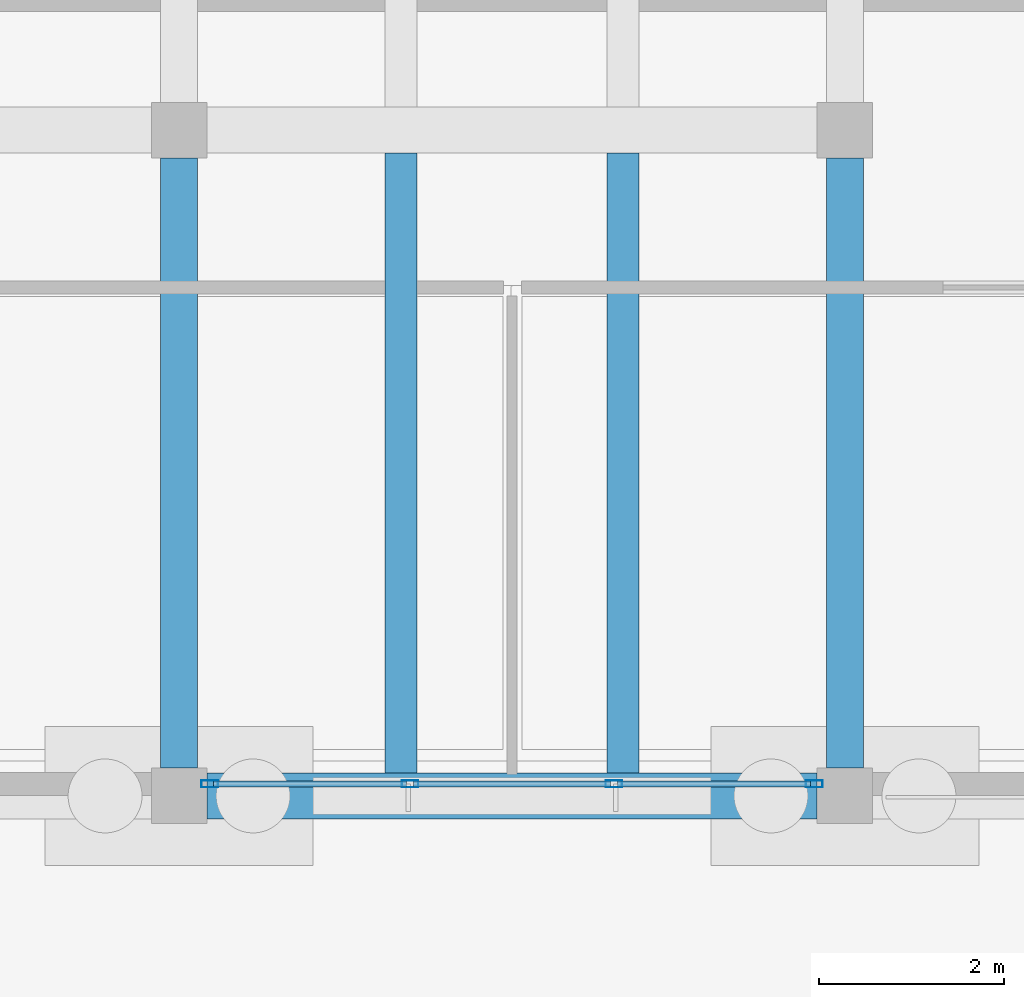
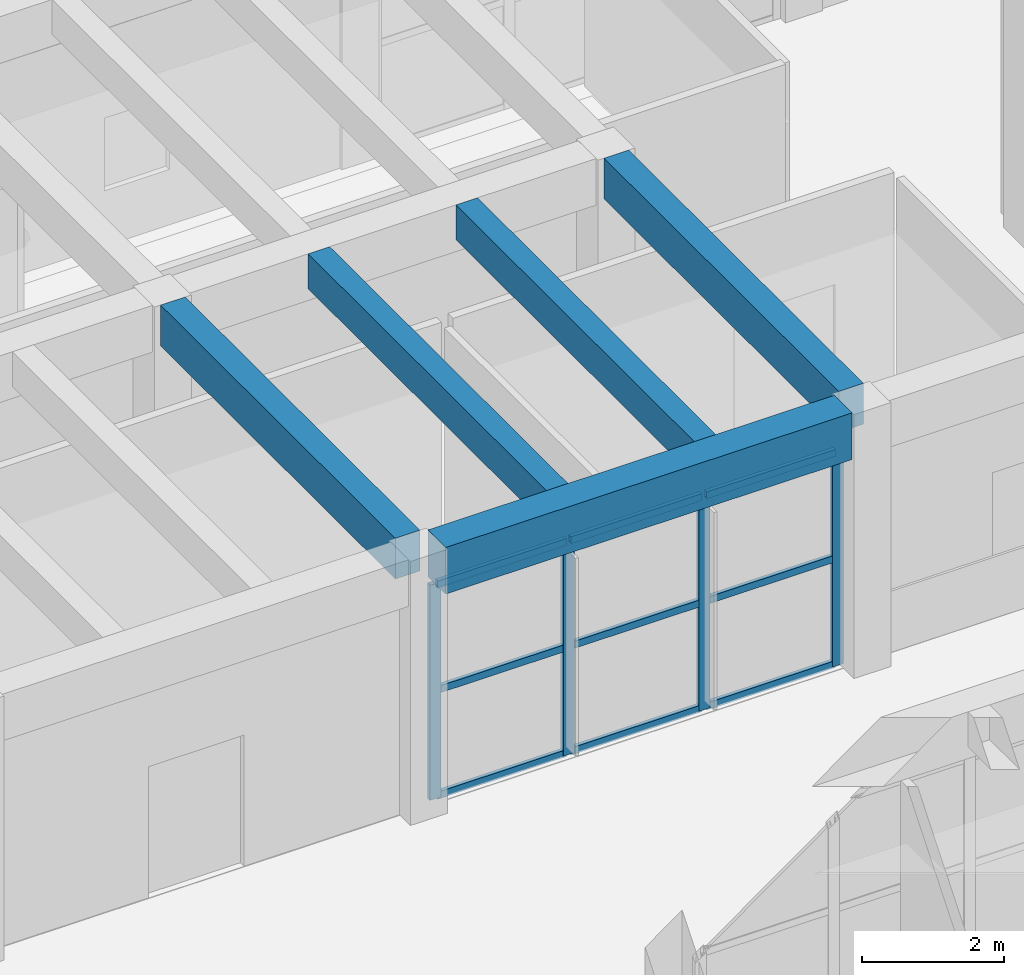
# One storey, part 92 of 155: 13 members, 5 beams, 1 element without a shape of its own.
"""IFC4 building model written with IfcOpenShell, lengths in metres."""

from ifc_helpers import new_model, si_unit, direction, frame, origin, origin_2d, place, context, subcontext, project, spatial, rectangle, hollow_rectangle, extrude, material, material_profile, profile_set, type_object, element, aggregate, save


model = new_model("IFC4")

# Units and contexts
model_context = context("Model", 3, precision=1e-05, world=origin(), true_north=direction((0.0, 1.0)))
body_context = subcontext(model_context, "Body", "Model", "MODEL_VIEW")
ifc_project = project(units=[si_unit("LENGTHUNIT", "METRE"), si_unit("AREAUNIT", "SQUARE_METRE"), si_unit("VOLUMEUNIT", "CUBIC_METRE"), si_unit("PLANEANGLEUNIT", "RADIAN"), si_unit("MASSUNIT", "GRAM", prefix="KILO")], contexts=[model_context])

# Site, building, storey
site_placement = place(None, origin())
site = spatial("IfcSite", under=ifc_project, at=site_placement, CompositionType="ELEMENT")
building_placement = place(site_placement, origin())
building = spatial("IfcBuilding", under=site, at=building_placement, Name="Bramvelor Terrace Health Centre", CompositionType="ELEMENT")
storey_placement = place(building_placement, origin())
storey = spatial("IfcBuildingStorey", under=building, at=storey_placement, Name="L01", CompositionType="ELEMENT", Elevation=0.0)

# Beams
ifc_material_1 = material(Name="Concrete C40/50", Category="concrete")
ifc_material_profile_1 = material_profile(ifc_material_1, rectangle(XDim=0.39990234375, YDim=0.699951171875, at=origin_2d()), Name="RC 400x700")
ifc_profile_set_1 = profile_set([ifc_material_profile_1], Name="Concrete C40/50")
beam_type_1 = type_object("IfcBeamType", Name="BM-RC-G700", PredefinedType="BEAM", material=ifc_profile_set_1)
for number, where, z_axis, x_axis, name in (
    (1, (64.800048828125, 86.699951171875, 4.179931640625), (0.0, 1.0, 0.0), (-1.0, 0.0, 0.0), "L01 Floor Girder"),
    (2, (72.0, 86.699951171875, 4.179931640625), (0.0, 1.0, 0.0), (-1.0, 0.0, 0.0), "L01 Floor Girder"),
):
    element("IfcBeam", number, at=place(storey_placement, frame(where, z_axis=z_axis, x_axis=x_axis)), inside=storey, type_object=beam_type_1, Name=name, PredefinedType="BEAM", context=body_context, shape_type="SweptSolid", body=[
        extrude(rectangle(XDim=0.39990234375, YDim=0.699951171875, at=origin_2d()), origin(), (0.0, 0.0, 1.0), 6.60009765625),
    ])
ifc_material_2 = material(Name="Concrete C40/50", Category="concrete")
ifc_material_profile_2 = material_profile(ifc_material_2, rectangle(XDim=0.5, YDim=0.800048828125, at=origin_2d()), Name="RC 500x800")
ifc_profile_set_2 = profile_set([ifc_material_profile_2], Name="Concrete C40/50")
beam_type_2 = type_object("IfcBeamType", Name="BM-RC-G800", PredefinedType="BEAM", material=ifc_profile_set_2)
beam_placement = place(storey_placement, frame((65.10009765625, 86.39990234375, 4.1298828125), z_axis=(1.0, 0.0, 0.0), x_axis=(0.0, 1.0, 0.0)))
element("IfcBeam", 3, at=beam_placement, inside=storey, type_object=beam_type_2, Name="L01 Floor Girder", PredefinedType="BEAM", context=body_context, shape_type="SweptSolid", body=[
    extrude(rectangle(XDim=0.5, YDim=0.800048828125, at=origin_2d()), origin(), (0.0, 0.0, 1.0), 6.599853515625),
])
ifc_material_3 = material(Name="Concrete C40/50", Category="concrete")
ifc_material_profile_3 = material_profile(ifc_material_3, rectangle(XDim=0.35009765625, YDim=0.60009765625, at=origin_2d()), Name="RC 350x600")
ifc_profile_set_3 = profile_set([ifc_material_profile_3], Name="Concrete C40/50")
beam_type_3 = type_object("IfcBeamType", Name="BM-RC-J600", PredefinedType="JOIST", material=ifc_profile_set_3)
for number, where, z_axis, x_axis, name in (
    (4, (67.199951171875, 86.64990234375, 4.22998046875), (0.0, 1.0, 0.0), (-1.0, 0.0, 0.0), "L01 Secondary Floor Joist"),
    (5, (69.60009765625, 86.64990234375, 4.22998046875), (0.0, 1.0, 0.0), (-1.0, 0.0, 0.0), "L01 Secondary Floor Joist"),
):
    element("IfcBeam", number, at=place(storey_placement, frame(where, z_axis=z_axis, x_axis=x_axis)), inside=storey, type_object=beam_type_3, Name=name, PredefinedType="JOIST", context=body_context, shape_type="SweptSolid", body=[
        extrude(rectangle(XDim=0.35009765625, YDim=0.60009765625, at=origin_2d()), origin(), (0.0, 0.0, 1.0), 6.7001953125),
    ])

# Curtain wall, members
ifc_material_4 = material(Name="Anodized aluminium and double low-E glass", Category="aluminium")
curtain_wall_type = type_object("IfcCurtainWallType", Name="CW-SYS-02", PredefinedType="NOTDEFINED", material=ifc_material_4)
curtain_wall_placement = place(storey_placement, origin())
curtain_wall = element("IfcCurtainWall", 6, at=curtain_wall_placement, inside=storey, type_object=curtain_wall_type, Name="L01 Unitized Curtain Wall 27", PredefinedType="NOTDEFINED")
ifc_material_5 = material(Name="Anodized aluminium 6063-T6", Category="aluminium")
ifc_material_profile_4 = material_profile(ifc_material_5, hollow_rectangle(XDim=0.074951171875, YDim=0.179931640625, WallThickness=0.00341796875, at=origin_2d()), Name="ALU-MUL 75x180x3.5")
ifc_profile_set_4 = profile_set([ifc_material_profile_4], Name="Anodized aluminium 6063-T6")
member_type_1 = type_object("IfcMemberType", Name="CW-MUL-65x180", PredefinedType="MULLION", material=ifc_profile_set_4)
member_1_placement = place(storey_placement, frame((71.66748046875, 86.530029296875, 0.0), z_axis=(0.0, 0.0, 1.0), x_axis=(0.0, -1.0, 0.0)))
member_1 = element("IfcMember", 7, at=member_1_placement, type_object=member_type_1, Name="CW-02 mullion 1", PredefinedType="MULLION", context=body_context, shape_type="SweptSolid", body=[
    extrude(hollow_rectangle(XDim=0.074951171875, YDim=0.179931640625, WallThickness=0.00341796875, at=origin_2d()), origin(), (0.0, 0.0, 1.0), 3.68994140625),
])
member_2_placement = place(storey_placement, frame((69.501708984375, 86.530029296875, 0.0), z_axis=(0.0, 0.0, 1.0), x_axis=(0.0, -1.0, 0.0)))
member_2 = element("IfcMember", 8, at=member_2_placement, type_object=member_type_1, Name="CW-02 mullion 2", PredefinedType="MULLION", context=body_context, shape_type="SweptSolid", body=[
    extrude(hollow_rectangle(XDim=0.074951171875, YDim=0.179931640625, WallThickness=0.00341796875, at=origin_2d()), origin(), (0.0, 0.0, 1.0), 3.68994140625),
])
member_3_placement = place(storey_placement, frame((67.29833984375, 86.530029296875, 0.0), z_axis=(0.0, 0.0, 1.0), x_axis=(0.0, -1.0, 0.0)))
member_3 = element("IfcMember", 9, at=member_3_placement, type_object=member_type_1, Name="CW-02 mullion 3", PredefinedType="MULLION", context=body_context, shape_type="SweptSolid", body=[
    extrude(hollow_rectangle(XDim=0.074951171875, YDim=0.179931640625, WallThickness=0.00341796875, at=origin_2d()), origin(), (0.0, 0.0, 1.0), 3.68994140625),
])
member_4_placement = place(storey_placement, frame((65.132568359375, 86.530029296875, 0.0), z_axis=(0.0, 0.0, 1.0), x_axis=(0.0, -1.0, 0.0)))
member_4 = element("IfcMember", 10, at=member_4_placement, type_object=member_type_1, Name="CW-02 mullion 4", PredefinedType="MULLION", context=body_context, shape_type="SweptSolid", body=[
    extrude(hollow_rectangle(XDim=0.074951171875, YDim=0.179931640625, WallThickness=0.00341796875, at=origin_2d()), origin(), (0.0, 0.0, 1.0), 3.68994140625),
])
ifc_material_6 = material(Name="Anodized aluminium 6063-T6", Category="aluminium")
ifc_material_profile_5 = material_profile(ifc_material_6, hollow_rectangle(XDim=0.06494140625, YDim=0.1201171875, WallThickness=0.0029296875, at=origin_2d()), Name="ALU-TRN 65x120x3.0")
ifc_profile_set_5 = profile_set([ifc_material_profile_5], Name="Anodized aluminium 6063-T6")
member_type_2 = type_object("IfcMemberType", Name="CW-TRN-65x150", PredefinedType="USERDEFINED", material=ifc_profile_set_5)
member_5_placement = place(storey_placement, frame((71.6298828125, 86.530029296875, 0.032470703125), z_axis=(-1.0, 0.0, 0.0), x_axis=(0.0, -1.0, 0.0)))
member_5 = element("IfcMember", 11, at=member_5_placement, type_object=member_type_2, Name="CW-02 transom 1.1", ObjectType="TRANSOM", PredefinedType="USERDEFINED", context=body_context, shape_type="SweptSolid", body=[
    extrude(hollow_rectangle(XDim=0.06494140625, YDim=0.1201171875, WallThickness=0.0029296875, at=origin_2d()), origin(), (0.0, 0.0, 1.0), 2.0908203125),
])
member_6_placement = place(storey_placement, frame((71.6298828125, 86.530029296875, 1.844970703125), z_axis=(-1.0, 0.0, 0.0), x_axis=(0.0, -1.0, 0.0)))
member_6 = element("IfcMember", 12, at=member_6_placement, type_object=member_type_2, Name="CW-02 transom 1.2", ObjectType="TRANSOM", PredefinedType="USERDEFINED", context=body_context, shape_type="SweptSolid", body=[
    extrude(hollow_rectangle(XDim=0.06494140625, YDim=0.1201171875, WallThickness=0.0029296875, at=origin_2d()), origin(), (0.0, 0.0, 1.0), 2.0908203125),
])
member_7_placement = place(storey_placement, frame((71.6298828125, 86.530029296875, 3.657470703125), z_axis=(-1.0, 0.0, 0.0), x_axis=(0.0, -1.0, 0.0)))
member_7 = element("IfcMember", 13, at=member_7_placement, type_object=member_type_2, Name="CW-02 transom 1.3", ObjectType="TRANSOM", PredefinedType="USERDEFINED", context=body_context, shape_type="SweptSolid", body=[
    extrude(hollow_rectangle(XDim=0.06494140625, YDim=0.1201171875, WallThickness=0.0029296875, at=origin_2d()), origin(), (0.0, 0.0, 1.0), 2.0908203125),
])
member_8_placement = place(storey_placement, frame((69.464111328125, 86.530029296875, 0.032470703125), z_axis=(-1.0, 0.0, 0.0), x_axis=(0.0, -1.0, 0.0)))
member_8 = element("IfcMember", 14, at=member_8_placement, type_object=member_type_2, Name="CW-02 transom 2.1", ObjectType="TRANSOM", PredefinedType="USERDEFINED", context=body_context, shape_type="SweptSolid", body=[
    extrude(hollow_rectangle(XDim=0.06494140625, YDim=0.1201171875, WallThickness=0.0029296875, at=origin_2d()), origin(), (0.0, 0.0, 1.0), 2.128173828125),
])
member_9_placement = place(storey_placement, frame((69.464111328125, 86.530029296875, 1.844970703125), z_axis=(-1.0, 0.0, 0.0), x_axis=(0.0, -1.0, 0.0)))
member_9 = element("IfcMember", 15, at=member_9_placement, type_object=member_type_2, Name="CW-02 transom 2.2", ObjectType="TRANSOM", PredefinedType="USERDEFINED", context=body_context, shape_type="SweptSolid", body=[
    extrude(hollow_rectangle(XDim=0.06494140625, YDim=0.1201171875, WallThickness=0.0029296875, at=origin_2d()), origin(), (0.0, 0.0, 1.0), 2.128173828125),
])
member_10_placement = place(storey_placement, frame((69.464111328125, 86.530029296875, 3.657470703125), z_axis=(-1.0, 0.0, 0.0), x_axis=(0.0, -1.0, 0.0)))
member_10 = element("IfcMember", 16, at=member_10_placement, type_object=member_type_2, Name="CW-02 transom 2.3", ObjectType="TRANSOM", PredefinedType="USERDEFINED", context=body_context, shape_type="SweptSolid", body=[
    extrude(hollow_rectangle(XDim=0.06494140625, YDim=0.1201171875, WallThickness=0.0029296875, at=origin_2d()), origin(), (0.0, 0.0, 1.0), 2.128173828125),
])
member_11_placement = place(storey_placement, frame((67.2607421875, 86.530029296875, 0.032470703125), z_axis=(-1.0, 0.0, 0.0), x_axis=(0.0, -1.0, 0.0)))
member_11 = element("IfcMember", 17, at=member_11_placement, type_object=member_type_2, Name="CW-02 transom 3.1", ObjectType="TRANSOM", PredefinedType="USERDEFINED", context=body_context, shape_type="SweptSolid", body=[
    extrude(hollow_rectangle(XDim=0.06494140625, YDim=0.1201171875, WallThickness=0.0029296875, at=origin_2d()), origin(), (0.0, 0.0, 1.0), 2.0908203125),
])
member_12_placement = place(storey_placement, frame((67.2607421875, 86.530029296875, 1.844970703125), z_axis=(-1.0, 0.0, 0.0), x_axis=(0.0, -1.0, 0.0)))
member_12 = element("IfcMember", 18, at=member_12_placement, type_object=member_type_2, Name="CW-02 transom 3.2", ObjectType="TRANSOM", PredefinedType="USERDEFINED", context=body_context, shape_type="SweptSolid", body=[
    extrude(hollow_rectangle(XDim=0.06494140625, YDim=0.1201171875, WallThickness=0.0029296875, at=origin_2d()), origin(), (0.0, 0.0, 1.0), 2.0908203125),
])
member_13_placement = place(storey_placement, frame((67.2607421875, 86.530029296875, 3.657470703125), z_axis=(-1.0, 0.0, 0.0), x_axis=(0.0, -1.0, 0.0)))
member_13 = element("IfcMember", 19, at=member_13_placement, type_object=member_type_2, Name="CW-02 transom 3.3", ObjectType="TRANSOM", PredefinedType="USERDEFINED", context=body_context, shape_type="SweptSolid", body=[
    extrude(hollow_rectangle(XDim=0.06494140625, YDim=0.1201171875, WallThickness=0.0029296875, at=origin_2d()), origin(), (0.0, 0.0, 1.0), 2.0908203125),
])
aggregate(curtain_wall, [member_1, member_2, member_3, member_4, member_5, member_6, member_7, member_8, member_9, member_10, member_11, member_12, member_13])

save(model, "model.ifc")
